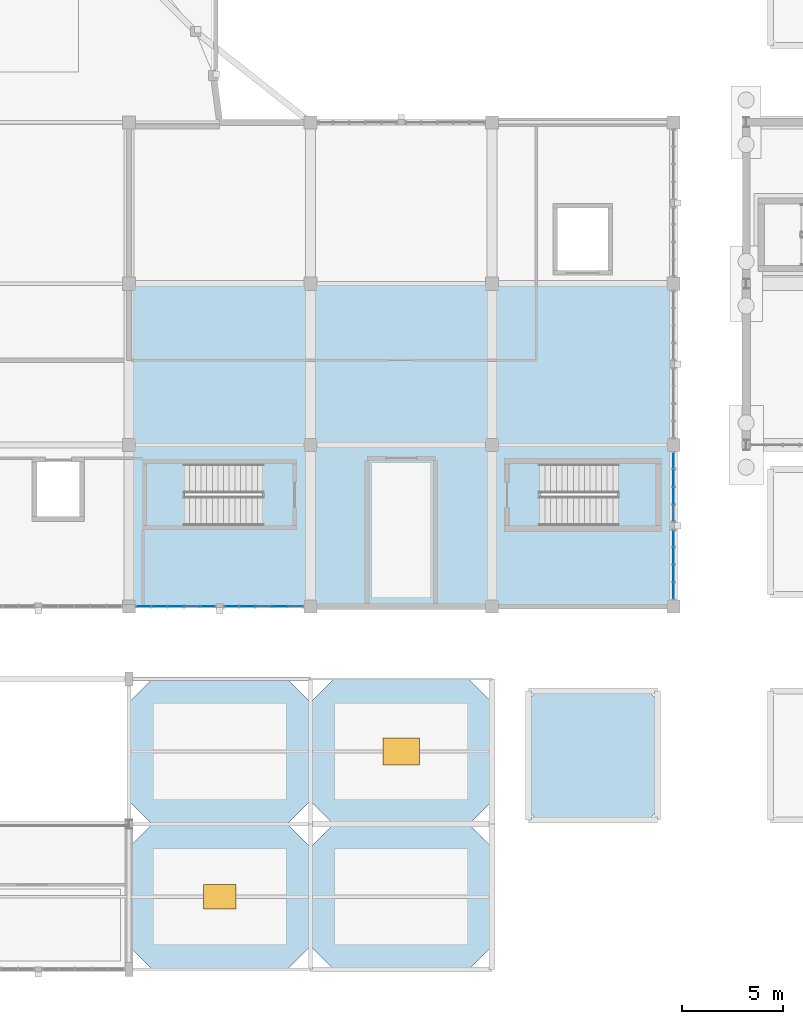
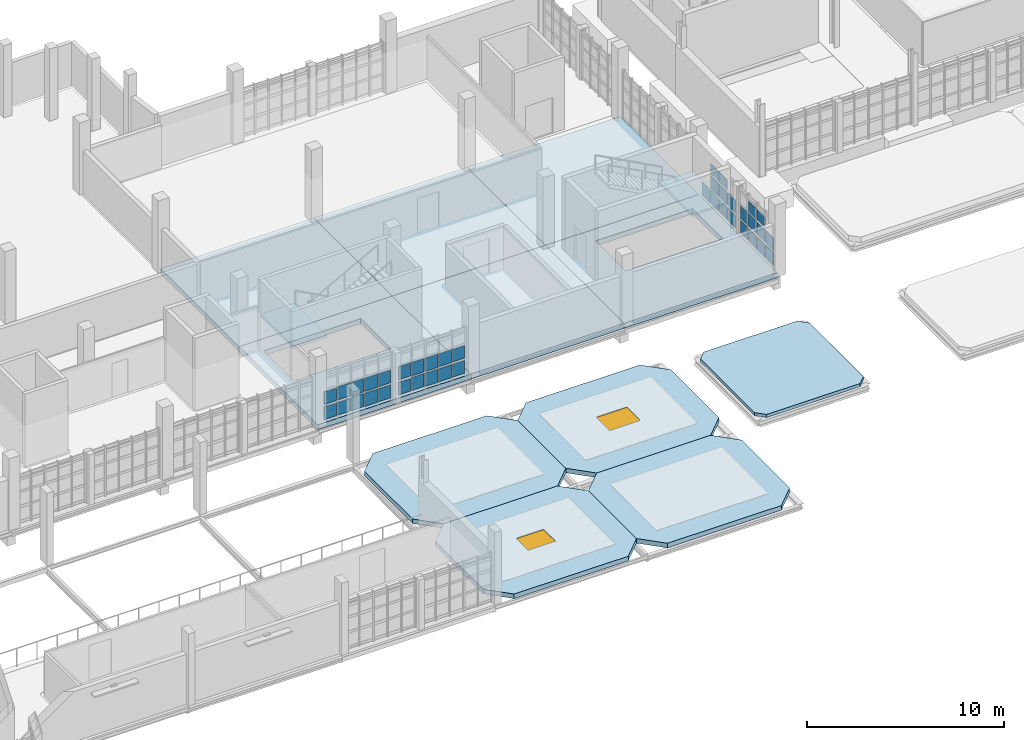
# One storey, part 83 of 125: 39 plates, 13 slabs, 2 windows, 2 openings, 6 elements without a shape of their own.
"""IFC4 building model written with IfcOpenShell, lengths in metres."""

from ifc_helpers import new_model, si_unit, direction, frame, origin, origin_2d, place, context, subcontext, project, spatial, polyline, rectangle, outline, extrude, material, layer, layer_set, type_object, element, fill, aggregate, save


model = new_model("IFC4")

# Units and contexts
model_context = context("Model", 3, precision=1e-05, world=origin(), true_north=direction((0.0, 1.0)))
body_context = subcontext(model_context, "Body", "Model", "MODEL_VIEW")
ifc_project = project(units=[si_unit("LENGTHUNIT", "METRE"), si_unit("AREAUNIT", "SQUARE_METRE"), si_unit("VOLUMEUNIT", "CUBIC_METRE"), si_unit("PLANEANGLEUNIT", "RADIAN"), si_unit("MASSUNIT", "GRAM", prefix="KILO")], contexts=[model_context])

# Site, building, storey
site_placement = place(None, origin())
site = spatial("IfcSite", under=ifc_project, at=site_placement, CompositionType="ELEMENT")
building_placement = place(site_placement, origin())
building = spatial("IfcBuilding", under=site, at=building_placement, Name="Serraforn Aerial Cableway Station", CompositionType="ELEMENT")
storey_placement = place(building_placement, frame((0.0, 0.0, 4.5)))
storey = spatial("IfcBuildingStorey", under=building, at=storey_placement, Name="L01", CompositionType="ELEMENT", Elevation=4.5)

# Curtain wall, plates
ifc_material_1 = material(Name="Anodised bronze unitised curtain wall")
curtain_wall_type_1 = type_object("IfcCurtainWallType", Name="CW-SYS-1", PredefinedType="USERDEFINED", material=ifc_material_1)
curtain_wall_1_placement = place(storey_placement, origin())
curtain_wall_1 = element("IfcCurtainWall", 1, at=curtain_wall_1_placement, inside=storey, type_object=curtain_wall_type_1, Name="Unitised Curtain Wall CW-CV-L01-E1A", ObjectType="UNITISED CURTAIN WALL", PredefinedType="USERDEFINED")
ifc_material_2 = material(Name="Solar-control low-E double glazing", Category="glass")
ifc_layer_1 = layer(ifc_material_2, 0.02587890625)
ifc_layer_set_1 = layer_set([ifc_layer_1], Name="Solar-control low-E double glazing")
plate_type_1 = type_object("IfcPlateType", Name="CW-GLZ-1", PredefinedType="CURTAIN_PANEL", material=ifc_layer_set_1)
plate_1_placement = place(storey_placement, frame((90.60009765625, 19.633056640625, 2.077392578125), z_axis=(0.0, 0.0, 1.0), x_axis=(1.0, 0.0, 0.0)))
plate_1 = element("IfcPlate", 2, at=plate_1_placement, type_object=plate_type_1, Name="Curtain Wall Panel CW-CV-L01-E1A-P2-3", PredefinedType="CURTAIN_PANEL", context=body_context, shape_type="SweptSolid", body=[
    extrude(rectangle(XDim=0.02587890625, YDim=0.815673828125, at=origin_2d()), origin(), (0.0, 0.0, 1.0), 0.615234375),
])
plate_2_placement = place(storey_placement, frame((90.60009765625, 20.50732421875, 1.14111328125), z_axis=(0.0, 0.0, 1.0), x_axis=(1.0, 0.0, 0.0)))
plate_2 = element("IfcPlate", 3, at=plate_2_placement, type_object=plate_type_1, Name="Curtain Wall Panel CW-CV-L01-E1A-P3-2", PredefinedType="CURTAIN_PANEL", context=body_context, shape_type="SweptSolid", body=[
    extrude(rectangle(XDim=0.02587890625, YDim=0.810791015625, at=origin_2d()), origin(), (0.0, 0.0, 1.0), 0.802490234375),
])
plate_3_placement = place(storey_placement, frame((90.60009765625, 21.36279296875, 0.20556640625), z_axis=(0.0, 0.0, 1.0), x_axis=(1.0, 0.0, 0.0)))
plate_3 = element("IfcPlate", 4, at=plate_3_placement, type_object=plate_type_1, Name="Curtain Wall Panel CW-CV-L01-E1A-P4-1", PredefinedType="CURTAIN_PANEL", context=body_context, shape_type="SweptSolid", body=[
    extrude(rectangle(XDim=0.02587890625, YDim=0.768310546875, at=origin_2d()), origin(), (0.0, 0.0, 1.0), 0.802490234375),
])

curtain_wall_type_2 = type_object("IfcCurtainWallType", Name="CW-SYS-2", PredefinedType="USERDEFINED", material=ifc_material_1)
curtain_wall_2_placement = place(storey_placement, origin())
curtain_wall_2 = element("IfcCurtainWall", 5, at=curtain_wall_2_placement, inside=storey, type_object=curtain_wall_type_2, Name="Unitised Curtain Wall CW-CV-L01-E1B", ObjectType="UNITISED CURTAIN WALL", PredefinedType="USERDEFINED")
plate_4_placement = place(storey_placement, frame((90.60009765625, 23.489990234375, 1.14111328125), z_axis=(0.0, 0.0, 1.0), x_axis=(1.0, 0.0, 0.0)))
plate_4 = element("IfcPlate", 6, at=plate_4_placement, type_object=plate_type_1, Name="Curtain Wall Panel CW-CV-L01-E1B-P2-2", PredefinedType="CURTAIN_PANEL", context=body_context, shape_type="SweptSolid", body=[
    extrude(rectangle(XDim=0.02587890625, YDim=0.810791015625, at=origin_2d()), origin(), (0.0, 0.0, 1.0), 0.802490234375),
])
plate_5_placement = place(storey_placement, frame((90.60009765625, 24.364501953125, 0.20556640625), z_axis=(0.0, 0.0, 1.0), x_axis=(1.0, 0.0, 0.0)))
plate_5 = element("IfcPlate", 7, at=plate_5_placement, type_object=plate_type_1, Name="Curtain Wall Panel CW-CV-L01-E1B-P3-1", PredefinedType="CURTAIN_PANEL", context=body_context, shape_type="SweptSolid", body=[
    extrude(rectangle(XDim=0.02587890625, YDim=0.8056640625, at=origin_2d()), origin(), (0.0, 0.0, 1.0), 0.802490234375),
])

# Curtain wall, plate
curtain_wall_type_3 = type_object("IfcCurtainWallType", Name="CW-SYS-25", PredefinedType="USERDEFINED", material=ifc_material_1)
curtain_wall_3_placement = place(storey_placement, origin())
curtain_wall_3 = element("IfcCurtainWall", 8, at=curtain_wall_3_placement, inside=storey, type_object=curtain_wall_type_3, Name="Unitised Curtain Wall CW-CV-L01-S5A", ObjectType="UNITISED CURTAIN WALL", PredefinedType="USERDEFINED")
ifc_layer_2 = layer(ifc_material_2, 0.028076171875)
ifc_layer_set_2 = layer_set([ifc_layer_2], Name="Solar-control low-E double glazing")
plate_type_2 = type_object("IfcPlateType", Name="CW-GLZ-2", PredefinedType="CURTAIN_PANEL", material=ifc_layer_set_2)
plate_6_placement = place(storey_placement, frame((64.33642578125, 18.0, 0.1904296875), z_axis=(0.0, 0.0, 1.0), x_axis=(1.0, 0.0, 0.0)))
plate_6 = element("IfcPlate", 9, at=plate_6_placement, type_object=plate_type_2, Name="Curtain Wall Panel CW-CV-L01-S5A-P1-1", PredefinedType="CURTAIN_PANEL", context=body_context, shape_type="SweptSolid", body=[
    extrude(rectangle(XDim=0.7109375, YDim=0.028076171875, at=origin_2d()), origin(), (0.0, 0.0, 1.0), 0.797607421875),
])

# Plate
plate_7_placement = place(storey_placement, frame((90.60009765625, 20.50732421875, 2.0498046875), z_axis=(0.0, 0.0, 1.0), x_axis=(1.0, 0.0, 0.0)))
plate_7 = element("IfcPlate", 10, at=plate_7_placement, type_object=plate_type_2, Name="Curtain Wall Panel CW-CV-L01-E1A-P3-3", PredefinedType="CURTAIN_PANEL", context=body_context, shape_type="SweptSolid", body=[
    extrude(rectangle(XDim=0.028076171875, YDim=0.810791015625, at=origin_2d()), origin(), (0.0, 0.0, 1.0), 0.6376953125),
])

plate_8_placement = place(storey_placement, frame((90.60009765625, 21.36279296875, 1.11376953125), z_axis=(0.0, 0.0, 1.0), x_axis=(1.0, 0.0, 0.0)))
plate_8 = element("IfcPlate", 11, at=plate_8_placement, type_object=plate_type_2, Name="Curtain Wall Panel CW-CV-L01-E1A-P4-2", PredefinedType="CURTAIN_PANEL", context=body_context, shape_type="SweptSolid", body=[
    extrude(rectangle(XDim=0.028076171875, YDim=0.768310546875, at=origin_2d()), origin(), (0.0, 0.0, 1.0), 0.824951171875),
])

plate_9_placement = place(storey_placement, frame((90.60009765625, 23.489990234375, 2.0498046875), z_axis=(0.0, 0.0, 1.0), x_axis=(1.0, 0.0, 0.0)))
plate_9 = element("IfcPlate", 12, at=plate_9_placement, type_object=plate_type_2, Name="Curtain Wall Panel CW-CV-L01-E1B-P2-3", PredefinedType="CURTAIN_PANEL", context=body_context, shape_type="SweptSolid", body=[
    extrude(rectangle(XDim=0.028076171875, YDim=0.810791015625, at=origin_2d()), origin(), (0.0, 0.0, 1.0), 0.6376953125),
])

plate_10_placement = place(storey_placement, frame((90.60009765625, 24.364501953125, 1.11376953125), z_axis=(0.0, 0.0, 1.0), x_axis=(1.0, 0.0, 0.0)))
plate_10 = element("IfcPlate", 13, at=plate_10_placement, type_object=plate_type_2, Name="Curtain Wall Panel CW-CV-L01-E1B-P3-2", PredefinedType="CURTAIN_PANEL", context=body_context, shape_type="SweptSolid", body=[
    extrude(rectangle(XDim=0.028076171875, YDim=0.8056640625, at=origin_2d()), origin(), (0.0, 0.0, 1.0), 0.824951171875),
])

plate_11_placement = place(storey_placement, frame((90.60009765625, 25.231201171875, 0.177734375), z_axis=(0.0, 0.0, 1.0), x_axis=(1.0, 0.0, 0.0)))
plate_11 = element("IfcPlate", 14, at=plate_11_placement, type_object=plate_type_2, Name="Curtain Wall Panel CW-CV-L01-E1B-P4-1", PredefinedType="CURTAIN_PANEL", context=body_context, shape_type="SweptSolid", body=[
    extrude(rectangle(XDim=0.028076171875, YDim=0.78564453125, at=origin_2d()), origin(), (0.0, 0.0, 1.0), 0.824951171875),
])

ifc_layer_3 = layer(ifc_material_2, 0.030029296875)
ifc_layer_set_3 = layer_set([ifc_layer_3], Name="Solar-control low-E double glazing")
plate_type_3 = type_object("IfcPlateType", Name="CW-GLZ-3", PredefinedType="CURTAIN_PANEL", material=ifc_layer_set_3)
plate_12_placement = place(storey_placement, frame((64.33642578125, 18.0, 1.1337890625), z_axis=(0.0, 0.0, 1.0), x_axis=(1.0, 0.0, 0.0)))
plate_12 = element("IfcPlate", 15, at=plate_12_placement, type_object=plate_type_3, Name="Curtain Wall Panel CW-CV-L01-S5A-P1-2", PredefinedType="CURTAIN_PANEL", context=body_context, shape_type="SweptSolid", body=[
    extrude(rectangle(XDim=0.7109375, YDim=0.030029296875, at=origin_2d()), origin(), (0.0, 0.0, 1.0), 0.782470703125),
])

plate_13_placement = place(storey_placement, frame((65.120849609375, 18.0, 0.19775390625), z_axis=(0.0, 0.0, 1.0), x_axis=(1.0, 0.0, 0.0)))
plate_13 = element("IfcPlate", 16, at=plate_13_placement, type_object=plate_type_3, Name="Curtain Wall Panel CW-CV-L01-S5A-P2-1", PredefinedType="CURTAIN_PANEL", context=body_context, shape_type="SweptSolid", body=[
    extrude(rectangle(XDim=0.73583984375, YDim=0.030029296875, at=origin_2d()), origin(), (0.0, 0.0, 1.0), 0.782470703125),
])

# Curtain wall, plate
curtain_wall_type_4 = type_object("IfcCurtainWallType", Name="CW-SYS-26", PredefinedType="USERDEFINED", material=ifc_material_1)
curtain_wall_4_placement = place(storey_placement, origin())
curtain_wall_4 = element("IfcCurtainWall", 17, at=curtain_wall_4_placement, inside=storey, type_object=curtain_wall_type_4, Name="Unitised Curtain Wall CW-CV-L01-S5B", ObjectType="UNITISED CURTAIN WALL", PredefinedType="USERDEFINED")
plate_14_placement = place(storey_placement, frame((68.694580078125, 18.0, 0.19775390625), z_axis=(0.0, 0.0, 1.0), x_axis=(1.0, 0.0, 0.0)))
plate_14 = element("IfcPlate", 18, at=plate_14_placement, type_object=plate_type_3, Name="Curtain Wall Panel CW-CV-L01-S5B-P1-1", PredefinedType="CURTAIN_PANEL", context=body_context, shape_type="SweptSolid", body=[
    extrude(rectangle(XDim=0.703369140625, YDim=0.030029296875, at=origin_2d()), origin(), (0.0, 0.0, 1.0), 0.782470703125),
])

# Plate
plate_15_placement = place(storey_placement, frame((90.60009765625, 24.364501953125, 2.0546875), z_axis=(0.0, 0.0, 1.0), x_axis=(1.0, 0.0, 0.0)))
plate_15 = element("IfcPlate", 19, at=plate_15_placement, type_object=plate_type_3, Name="Curtain Wall Panel CW-CV-L01-E1B-P3-3", PredefinedType="CURTAIN_PANEL", context=body_context, shape_type="SweptSolid", body=[
    extrude(rectangle(XDim=0.030029296875, YDim=0.8056640625, at=origin_2d()), origin(), (0.0, 0.0, 1.0), 0.625244140625),
])

ifc_layer_4 = layer(ifc_material_2, 0.031982421875)
ifc_layer_set_4 = layer_set([ifc_layer_4], Name="Solar-control low-E double glazing")
plate_type_4 = type_object("IfcPlateType", Name="CW-GLZ-4", PredefinedType="CURTAIN_PANEL", material=ifc_layer_set_4)
plate_16_placement = place(storey_placement, frame((65.120849609375, 18.0, 1.14111328125), z_axis=(0.0, 0.0, 1.0), x_axis=(1.0, 0.0, 0.0)))
plate_16 = element("IfcPlate", 20, at=plate_16_placement, type_object=plate_type_4, Name="Curtain Wall Panel CW-CV-L01-S5A-P2-2", PredefinedType="CURTAIN_PANEL", context=body_context, shape_type="SweptSolid", body=[
    extrude(rectangle(XDim=0.73583984375, YDim=0.031982421875, at=origin_2d()), origin(), (0.0, 0.0, 1.0), 0.802490234375),
])

plate_17_placement = place(storey_placement, frame((65.920166015625, 18.0, 0.20556640625), z_axis=(0.0, 0.0, 1.0), x_axis=(1.0, 0.0, 0.0)))
plate_17 = element("IfcPlate", 21, at=plate_17_placement, type_object=plate_type_4, Name="Curtain Wall Panel CW-CV-L01-S5A-P3-1", PredefinedType="CURTAIN_PANEL", context=body_context, shape_type="SweptSolid", body=[
    extrude(rectangle(XDim=0.73095703125, YDim=0.031982421875, at=origin_2d()), origin(), (0.0, 0.0, 1.0), 0.802490234375),
])

plate_18_placement = place(storey_placement, frame((68.694580078125, 18.0, 1.14111328125), z_axis=(0.0, 0.0, 1.0), x_axis=(1.0, 0.0, 0.0)))
plate_18 = element("IfcPlate", 22, at=plate_18_placement, type_object=plate_type_4, Name="Curtain Wall Panel CW-CV-L01-S5B-P1-2", PredefinedType="CURTAIN_PANEL", context=body_context, shape_type="SweptSolid", body=[
    extrude(rectangle(XDim=0.703369140625, YDim=0.031982421875, at=origin_2d()), origin(), (0.0, 0.0, 1.0), 0.802490234375),
])

plate_19_placement = place(storey_placement, frame((69.477783203125, 18.0, 0.20556640625), z_axis=(0.0, 0.0, 1.0), x_axis=(1.0, 0.0, 0.0)))
plate_19 = element("IfcPlate", 23, at=plate_19_placement, type_object=plate_type_4, Name="Curtain Wall Panel CW-CV-L01-S5B-P2-1", PredefinedType="CURTAIN_PANEL", context=body_context, shape_type="SweptSolid", body=[
    extrude(rectangle(XDim=0.73095703125, YDim=0.031982421875, at=origin_2d()), origin(), (0.0, 0.0, 1.0), 0.802490234375),
])

ifc_layer_5 = layer(ifc_material_2, 0.033935546875)
ifc_layer_set_5 = layer_set([ifc_layer_5], Name="Solar-control low-E double glazing")
plate_type_5 = type_object("IfcPlateType", Name="CW-GLZ-5", PredefinedType="CURTAIN_PANEL", material=ifc_layer_set_5)
plate_20_placement = place(storey_placement, frame((65.920166015625, 18.0, 1.11376953125), z_axis=(0.0, 0.0, 1.0), x_axis=(1.0, 0.0, 0.0)))
plate_20 = element("IfcPlate", 24, at=plate_20_placement, type_object=plate_type_5, Name="Curtain Wall Panel CW-CV-L01-S5A-P3-2", PredefinedType="CURTAIN_PANEL", context=body_context, shape_type="SweptSolid", body=[
    extrude(rectangle(XDim=0.73095703125, YDim=0.033935546875, at=origin_2d()), origin(), (0.0, 0.0, 1.0), 0.824951171875),
])

plate_21_placement = place(storey_placement, frame((66.725830078125, 18.0, 0.177734375), z_axis=(0.0, 0.0, 1.0), x_axis=(1.0, 0.0, 0.0)))
plate_21 = element("IfcPlate", 25, at=plate_21_placement, type_object=plate_type_5, Name="Curtain Wall Panel CW-CV-L01-S5A-P4-1", PredefinedType="CURTAIN_PANEL", context=body_context, shape_type="SweptSolid", body=[
    extrude(rectangle(XDim=0.73828125, YDim=0.033935546875, at=origin_2d()), origin(), (0.0, 0.0, 1.0), 0.824951171875),
])

plate_22_placement = place(storey_placement, frame((69.477783203125, 18.0, 1.11376953125), z_axis=(0.0, 0.0, 1.0), x_axis=(1.0, 0.0, 0.0)))
plate_22 = element("IfcPlate", 26, at=plate_22_placement, type_object=plate_type_5, Name="Curtain Wall Panel CW-CV-L01-S5B-P2-2", PredefinedType="CURTAIN_PANEL", context=body_context, shape_type="SweptSolid", body=[
    extrude(rectangle(XDim=0.73095703125, YDim=0.033935546875, at=origin_2d()), origin(), (0.0, 0.0, 1.0), 0.824951171875),
])

plate_23_placement = place(storey_placement, frame((70.283447265625, 18.0, 0.177734375), z_axis=(0.0, 0.0, 1.0), x_axis=(1.0, 0.0, 0.0)))
plate_23 = element("IfcPlate", 27, at=plate_23_placement, type_object=plate_type_5, Name="Curtain Wall Panel CW-CV-L01-S5B-P3-1", PredefinedType="CURTAIN_PANEL", context=body_context, shape_type="SweptSolid", body=[
    extrude(rectangle(XDim=0.73828125, YDim=0.033935546875, at=origin_2d()), origin(), (0.0, 0.0, 1.0), 0.824951171875),
])

ifc_layer_6 = layer(ifc_material_2, 0.035888671875)
ifc_layer_set_6 = layer_set([ifc_layer_6], Name="Solar-control low-E double glazing")
plate_type_6 = type_object("IfcPlateType", Name="CW-GLZ-6", PredefinedType="CURTAIN_PANEL", material=ifc_layer_set_6)
plate_24_placement = place(storey_placement, frame((66.725830078125, 18.0, 1.118896484375), z_axis=(0.0, 0.0, 1.0), x_axis=(1.0, 0.0, 0.0)))
plate_24 = element("IfcPlate", 28, at=plate_24_placement, type_object=plate_type_6, Name="Curtain Wall Panel CW-CV-L01-S5A-P4-2", PredefinedType="CURTAIN_PANEL", context=body_context, shape_type="SweptSolid", body=[
    extrude(rectangle(XDim=0.73828125, YDim=0.035888671875, at=origin_2d()), origin(), (0.0, 0.0, 1.0), 0.8125),
])

plate_25_placement = place(storey_placement, frame((67.504150390625, 18.0, 0.182861328125), z_axis=(0.0, 0.0, 1.0), x_axis=(1.0, 0.0, 0.0)))
plate_25 = element("IfcPlate", 29, at=plate_25_placement, type_object=plate_type_6, Name="Curtain Wall Panel CW-CV-L01-S5A-P5-1", PredefinedType="CURTAIN_PANEL", context=body_context, shape_type="SweptSolid", body=[
    extrude(rectangle(XDim=0.7158203125, YDim=0.035888671875, at=origin_2d()), origin(), (0.0, 0.0, 1.0), 0.8125),
])

plate_26_placement = place(storey_placement, frame((70.283447265625, 18.0, 1.118896484375), z_axis=(0.0, 0.0, 1.0), x_axis=(1.0, 0.0, 0.0)))
plate_26 = element("IfcPlate", 30, at=plate_26_placement, type_object=plate_type_6, Name="Curtain Wall Panel CW-CV-L01-S5B-P3-2", PredefinedType="CURTAIN_PANEL", context=body_context, shape_type="SweptSolid", body=[
    extrude(rectangle(XDim=0.73828125, YDim=0.035888671875, at=origin_2d()), origin(), (0.0, 0.0, 1.0), 0.8125),
])

plate_27_placement = place(storey_placement, frame((71.07666015625, 18.0, 0.182861328125), z_axis=(0.0, 0.0, 1.0), x_axis=(1.0, 0.0, 0.0)))
plate_27 = element("IfcPlate", 31, at=plate_27_placement, type_object=plate_type_6, Name="Curtain Wall Panel CW-CV-L01-S5B-P4-1", PredefinedType="CURTAIN_PANEL", context=body_context, shape_type="SweptSolid", body=[
    extrude(rectangle(XDim=0.745849609375, YDim=0.035888671875, at=origin_2d()), origin(), (0.0, 0.0, 1.0), 0.8125),
])

plate_28_placement = place(storey_placement, frame((90.60009765625, 18.772705078125, 0.182861328125), z_axis=(0.0, 0.0, 1.0), x_axis=(1.0, 0.0, 0.0)))
plate_28 = element("IfcPlate", 32, at=plate_28_placement, type_object=plate_type_6, Name="Curtain Wall Panel CW-CV-L01-E1A-P1-1", PredefinedType="CURTAIN_PANEL", context=body_context, shape_type="SweptSolid", body=[
    extrude(rectangle(XDim=0.035888671875, YDim=0.793212890625, at=origin_2d()), origin(), (0.0, 0.0, 1.0), 0.8125),
])

ifc_layer_7 = layer(ifc_material_2, 0.029052734375)
ifc_layer_set_7 = layer_set([ifc_layer_7], Name="Solar-control low-E double glazing")
plate_type_7 = type_object("IfcPlateType", Name="CW-GLZ-7", PredefinedType="CURTAIN_PANEL", material=ifc_layer_set_7)
plate_29_placement = place(storey_placement, frame((67.504150390625, 18.0, 1.12646484375), z_axis=(0.0, 0.0, 1.0), x_axis=(1.0, 0.0, 0.0)))
plate_29 = element("IfcPlate", 33, at=plate_29_placement, type_object=plate_type_7, Name="Curtain Wall Panel CW-CV-L01-S5A-P5-2", PredefinedType="CURTAIN_PANEL", context=body_context, shape_type="SweptSolid", body=[
    extrude(rectangle(XDim=0.7158203125, YDim=0.029052734375, at=origin_2d()), origin(), (0.0, 0.0, 1.0), 0.797607421875),
])

aggregate(curtain_wall_3, [plate_6, plate_12, plate_13, plate_16, plate_17, plate_20, plate_21, plate_24, plate_25, plate_29])

plate_30_placement = place(storey_placement, frame((71.07666015625, 18.0, 1.12646484375), z_axis=(0.0, 0.0, 1.0), x_axis=(1.0, 0.0, 0.0)))
plate_30 = element("IfcPlate", 34, at=plate_30_placement, type_object=plate_type_7, Name="Curtain Wall Panel CW-CV-L01-S5B-P4-2", PredefinedType="CURTAIN_PANEL", context=body_context, shape_type="SweptSolid", body=[
    extrude(rectangle(XDim=0.745849609375, YDim=0.029052734375, at=origin_2d()), origin(), (0.0, 0.0, 1.0), 0.797607421875),
])

plate_31_placement = place(storey_placement, frame((71.85986328125, 18.0, 0.1904296875), z_axis=(0.0, 0.0, 1.0), x_axis=(1.0, 0.0, 0.0)))
plate_31 = element("IfcPlate", 35, at=plate_31_placement, type_object=plate_type_7, Name="Curtain Wall Panel CW-CV-L01-S5B-P5-1", PredefinedType="CURTAIN_PANEL", context=body_context, shape_type="SweptSolid", body=[
    extrude(rectangle(XDim=0.70849609375, YDim=0.029052734375, at=origin_2d()), origin(), (0.0, 0.0, 1.0), 0.797607421875),
])

plate_32_placement = place(storey_placement, frame((90.60009765625, 18.772705078125, 1.12646484375), z_axis=(0.0, 0.0, 1.0), x_axis=(1.0, 0.0, 0.0)))
plate_32 = element("IfcPlate", 36, at=plate_32_placement, type_object=plate_type_7, Name="Curtain Wall Panel CW-CV-L01-E1A-P1-2", PredefinedType="CURTAIN_PANEL", context=body_context, shape_type="SweptSolid", body=[
    extrude(rectangle(XDim=0.029052734375, YDim=0.793212890625, at=origin_2d()), origin(), (0.0, 0.0, 1.0), 0.797607421875),
])

plate_33_placement = place(storey_placement, frame((90.60009765625, 19.633056640625, 0.1904296875), z_axis=(0.0, 0.0, 1.0), x_axis=(1.0, 0.0, 0.0)))
plate_33 = element("IfcPlate", 37, at=plate_33_placement, type_object=plate_type_7, Name="Curtain Wall Panel CW-CV-L01-E1A-P2-1", PredefinedType="CURTAIN_PANEL", context=body_context, shape_type="SweptSolid", body=[
    extrude(rectangle(XDim=0.029052734375, YDim=0.815673828125, at=origin_2d()), origin(), (0.0, 0.0, 1.0), 0.797607421875),
])

plate_34_placement = place(storey_placement, frame((90.60009765625, 22.630859375, 0.1904296875), z_axis=(0.0, 0.0, 1.0), x_axis=(1.0, 0.0, 0.0)))
plate_34 = element("IfcPlate", 38, at=plate_34_placement, type_object=plate_type_7, Name="Curtain Wall Panel CW-CV-L01-E1B-P1-1", PredefinedType="CURTAIN_PANEL", context=body_context, shape_type="SweptSolid", body=[
    extrude(rectangle(XDim=0.029052734375, YDim=0.78564453125, at=origin_2d()), origin(), (0.0, 0.0, 1.0), 0.797607421875),
])

ifc_layer_8 = layer(ifc_material_2, 0.031005859375)
ifc_layer_set_8 = layer_set([ifc_layer_8], Name="Solar-control low-E double glazing")
plate_type_8 = type_object("IfcPlateType", Name="CW-GLZ-8", PredefinedType="CURTAIN_PANEL", material=ifc_layer_set_8)
plate_35_placement = place(storey_placement, frame((71.85986328125, 18.0, 1.1337890625), z_axis=(0.0, 0.0, 1.0), x_axis=(1.0, 0.0, 0.0)))
plate_35 = element("IfcPlate", 39, at=plate_35_placement, type_object=plate_type_8, Name="Curtain Wall Panel CW-CV-L01-S5B-P5-2", PredefinedType="CURTAIN_PANEL", context=body_context, shape_type="SweptSolid", body=[
    extrude(rectangle(XDim=0.70849609375, YDim=0.031005859375, at=origin_2d()), origin(), (0.0, 0.0, 1.0), 0.782470703125),
])

aggregate(curtain_wall_4, [plate_14, plate_18, plate_19, plate_22, plate_23, plate_26, plate_27, plate_30, plate_31, plate_35])

plate_36_placement = place(storey_placement, frame((90.60009765625, 19.633056640625, 1.1337890625), z_axis=(0.0, 0.0, 1.0), x_axis=(1.0, 0.0, 0.0)))
plate_36 = element("IfcPlate", 40, at=plate_36_placement, type_object=plate_type_8, Name="Curtain Wall Panel CW-CV-L01-E1A-P2-2", PredefinedType="CURTAIN_PANEL", context=body_context, shape_type="SweptSolid", body=[
    extrude(rectangle(XDim=0.031005859375, YDim=0.815673828125, at=origin_2d()), origin(), (0.0, 0.0, 1.0), 0.782470703125),
])

plate_37_placement = place(storey_placement, frame((90.60009765625, 20.50732421875, 0.19775390625), z_axis=(0.0, 0.0, 1.0), x_axis=(1.0, 0.0, 0.0)))
plate_37 = element("IfcPlate", 41, at=plate_37_placement, type_object=plate_type_8, Name="Curtain Wall Panel CW-CV-L01-E1A-P3-1", PredefinedType="CURTAIN_PANEL", context=body_context, shape_type="SweptSolid", body=[
    extrude(rectangle(XDim=0.031005859375, YDim=0.810791015625, at=origin_2d()), origin(), (0.0, 0.0, 1.0), 0.782470703125),
])

aggregate(curtain_wall_1, [plate_28, plate_32, plate_33, plate_36, plate_1, plate_37, plate_2, plate_7, plate_3, plate_8])

plate_38_placement = place(storey_placement, frame((90.60009765625, 22.630859375, 1.1337890625), z_axis=(0.0, 0.0, 1.0), x_axis=(1.0, 0.0, 0.0)))
plate_38 = element("IfcPlate", 42, at=plate_38_placement, type_object=plate_type_8, Name="Curtain Wall Panel CW-CV-L01-E1B-P1-2", PredefinedType="CURTAIN_PANEL", context=body_context, shape_type="SweptSolid", body=[
    extrude(rectangle(XDim=0.031005859375, YDim=0.78564453125, at=origin_2d()), origin(), (0.0, 0.0, 1.0), 0.782470703125),
])

plate_39_placement = place(storey_placement, frame((90.60009765625, 23.489990234375, 0.19775390625), z_axis=(0.0, 0.0, 1.0), x_axis=(1.0, 0.0, 0.0)))
plate_39 = element("IfcPlate", 43, at=plate_39_placement, type_object=plate_type_8, Name="Curtain Wall Panel CW-CV-L01-E1B-P2-1", PredefinedType="CURTAIN_PANEL", context=body_context, shape_type="SweptSolid", body=[
    extrude(rectangle(XDim=0.031005859375, YDim=0.810791015625, at=origin_2d()), origin(), (0.0, 0.0, 1.0), 0.782470703125),
])

aggregate(curtain_wall_2, [plate_34, plate_38, plate_39, plate_4, plate_9, plate_5, plate_10, plate_15, plate_11])

# Slabs
ifc_material_3 = material(Name="Concrete C35/45", Category="concrete")
ifc_layer_9 = layer(ifc_material_3, 0.195068359375)
ifc_layer_set_9 = layer_set([ifc_layer_9], Name="Concrete C35/45")
slab_type_1 = type_object("IfcSlabType", Name="SLB-ARC-195", PredefinedType="ROOF", material=ifc_layer_set_9)
slab_1_placement = place(storey_placement, frame((0.0, 0.0, -0.215087890625)))
element("IfcSlab", 44, at=slab_1_placement, inside=storey, type_object=slab_type_1, Name="Colonnade Canopy Roof SW-1-1", PredefinedType="ROOF", context=body_context, shape_type="SweptSolid", body=[
    extrude(outline(polyline([(83.85009765625, 7.39990234375), (89.35009765625, 7.39990234375), (89.800048828125, 7.85009765625), (89.800048828125, 13.35009765625), (89.35009765625, 13.800048828125), (83.85009765625, 13.800048828125), (83.39990234375, 13.35009765625), (83.39990234375, 7.85009765625), (83.85009765625, 7.39990234375)])), origin(), (0.0, 0.0, 1.0), 0.195068359375),
])
ifc_layer_10 = layer(ifc_material_3, 0.31494140625)
ifc_layer_set_10 = layer_set([ifc_layer_10], Name="Concrete C35/45")
slab_type_2 = type_object("IfcSlabType", Name="SLB-FLR-315", PredefinedType="FLOOR", material=ifc_layer_set_10)
slab_2_placement = place(storey_placement, frame((0.0, 0.0, -0.31494140625)))
element("IfcSlab", 45, at=slab_2_placement, inside=storey, type_object=slab_type_2, Name="Floor Slab CV-L01-5-1", PredefinedType="FLOOR", context=body_context, shape_type="SweptSolid", body=[
    extrude(outline(polyline([(63.60009765625, 18.0), (72.60009765625, 18.0), (72.60009765625, 26.0), (63.60009765625, 26.0), (63.60009765625, 18.0)]), holes=[polyline([(70.199951171875, 25.06005859375), (64.5, 25.06005859375), (64.5, 22.0), (70.199951171875, 22.0), (70.199951171875, 25.06005859375)])]), origin(), (0.0, 0.0, 1.0), 0.31494140625),
])
slab_3_placement = place(storey_placement, frame((0.0, 0.0, -0.31494140625)))
element("IfcSlab", 46, at=slab_3_placement, inside=storey, type_object=slab_type_2, Name="Floor Slab CV-L01-5-2", PredefinedType="FLOOR", context=body_context, shape_type="SweptSolid", body=[
    extrude(outline(polyline([(63.60009765625, 26.0), (72.60009765625, 26.0), (72.60009765625, 34.0), (63.60009765625, 34.0), (63.60009765625, 26.0)])), origin(), (0.0, 0.0, 1.0), 0.31494140625),
])
slab_4_placement = place(storey_placement, frame((0.0, 0.0, -0.31494140625)))
element("IfcSlab", 47, at=slab_4_placement, inside=storey, type_object=slab_type_2, Name="Floor Slab CV-L01-6-1", PredefinedType="FLOOR", context=body_context, shape_type="SweptSolid", body=[
    extrude(outline(polyline([(72.60009765625, 18.0), (81.60009765625, 18.0), (81.60009765625, 26.0), (72.60009765625, 26.0), (72.60009765625, 18.0)])), origin(), (0.0, 0.0, 1.0), 0.31494140625),
])
slab_5_placement = place(storey_placement, frame((0.0, 0.0, -0.31494140625)))
element("IfcSlab", 48, at=slab_5_placement, inside=storey, type_object=slab_type_2, Name="Floor Slab CV-L01-6-2", PredefinedType="FLOOR", context=body_context, shape_type="SweptSolid", body=[
    extrude(outline(polyline([(72.60009765625, 26.0), (81.60009765625, 26.0), (81.60009765625, 34.0), (72.60009765625, 34.0), (72.60009765625, 26.0)])), origin(), (0.0, 0.0, 1.0), 0.31494140625),
])
slab_6_placement = place(storey_placement, frame((0.0, 0.0, -0.31494140625)))
element("IfcSlab", 49, at=slab_6_placement, inside=storey, type_object=slab_type_2, Name="Floor Slab CV-L01-7-1", PredefinedType="FLOOR", context=body_context, shape_type="SweptSolid", body=[
    extrude(outline(polyline([(81.60009765625, 18.0), (90.60009765625, 18.0), (90.60009765625, 26.0), (81.60009765625, 26.0), (81.60009765625, 18.0)]), holes=[polyline([(84.0, 22.0), (89.699951171875, 22.0), (89.699951171875, 25.06005859375), (84.0, 25.06005859375), (84.0, 22.0)])]), origin(), (0.0, 0.0, 1.0), 0.31494140625),
])
slab_7_placement = place(storey_placement, frame((0.0, 0.0, -0.31494140625)))
element("IfcSlab", 50, at=slab_7_placement, inside=storey, type_object=slab_type_2, Name="Floor Slab CV-L01-7-2", PredefinedType="FLOOR", context=body_context, shape_type="SweptSolid", body=[
    extrude(outline(polyline([(81.60009765625, 26.0), (90.60009765625, 26.0), (90.60009765625, 34.0), (81.60009765625, 34.0), (81.60009765625, 26.0)])), origin(), (0.0, 0.0, 1.0), 0.31494140625),
])

# Stair, slab
stair_type_1 = type_object("IfcStairType", Name="STR-DL-3", PredefinedType="HALF_TURN_STAIR", material=ifc_material_3)
stair_1_placement = place(storey_placement, origin())
stair_1 = element("IfcStair", 51, at=stair_1_placement, inside=storey, type_object=stair_type_1, Name="L01 Vault Central East Exit Stair 5", PredefinedType="HALF_TURN_STAIR")
ifc_layer_11 = layer(ifc_material_3, 0.159912109375)
ifc_layer_set_11 = layer_set([ifc_layer_11], Name="Concrete C35/45")
slab_type_3 = type_object("IfcSlabType", Name="SLB-LND-160", PredefinedType="LANDING", material=ifc_layer_set_11)
slab_8_placement = place(storey_placement, frame((0.0, 0.0, 2.090087890625)))
slab_8 = element("IfcSlab", 52, at=slab_8_placement, type_object=slab_type_3, Name="ST-05 landing 1", PredefinedType="LANDING", context=body_context, shape_type="SweptSolid", body=[
    extrude(outline(polyline([(66.3798828125, 25.179931640625), (64.3798828125, 25.179931640625), (64.3798828125, 21.8798828125), (66.3798828125, 21.8798828125), (66.3798828125, 25.179931640625)])), origin(), (0.0, 0.0, 1.0), 0.159912109375),
])
aggregate(stair_1, [slab_8])

stair_type_2 = type_object("IfcStairType", Name="STR-DL-1", PredefinedType="HALF_TURN_STAIR", material=ifc_material_3)
stair_2_placement = place(storey_placement, origin())
stair_2 = element("IfcStair", 53, at=stair_2_placement, inside=storey, type_object=stair_type_2, Name="L01 Vault East Protected Exit Stair 13", PredefinedType="HALF_TURN_STAIR")
slab_9_placement = place(storey_placement, frame((0.0, 0.0, 2.090087890625)))
slab_9 = element("IfcSlab", 54, at=slab_9_placement, type_object=slab_type_3, Name="ST-13 landing 1", PredefinedType="LANDING", context=body_context, shape_type="SweptSolid", body=[
    extrude(outline(polyline([(87.820068359375, 21.8798828125), (89.820068359375, 21.8798828125), (89.820068359375, 25.179931640625), (87.820068359375, 25.179931640625), (87.820068359375, 21.8798828125)])), origin(), (0.0, 0.0, 1.0), 0.159912109375),
])
aggregate(stair_2, [slab_9])

# Slab, opening, window
ifc_layer_12 = layer(ifc_material_3, 0.284912109375)
ifc_layer_set_12 = layer_set([ifc_layer_12], Name="Concrete C35/45")
slab_type_4 = type_object("IfcSlabType", Name="SLB-ROOF-285", PredefinedType="ROOF", material=ifc_layer_set_12)
slab_10_placement = place(storey_placement, frame((0.0, 0.0, -0.284912109375)))
slab_10 = element("IfcSlab", 55, at=slab_10_placement, inside=storey, type_object=slab_type_4, Name="Roof Slab CF-L01-5-1", PredefinedType="ROOF", context=body_context, shape_type="SweptSolid", body=[
    extrude(outline(polyline([(64.75, 0.0), (71.449951171875, 0.0), (72.60009765625, 1.14990234375), (72.60009765625, 6.050048828125), (71.449951171875, 7.199951171875), (64.75, 7.199951171875), (63.60009765625, 6.050048828125), (63.60009765625, 1.14990234375), (64.75, 0.0)]), holes=[polyline([(67.302001953125, 3.001953125), (68.89794921875, 3.001953125), (68.89794921875, 4.197998046875), (67.302001953125, 4.197998046875), (67.302001953125, 3.001953125)])]), origin(), (0.0, 0.0, 1.0), 0.284912109375),
])
opening_1_placement = place(slab_10_placement, frame((68.10009765625, 3.60009765625, -0.010009765625)))
opening_1 = element("IfcOpeningElement", 56, at=opening_1_placement, cuts=slab_10, Name="Opening SK-01", PredefinedType="OPENING", context=body_context, shape_type="SweptSolid", body=[
    extrude(rectangle(XDim=1.60009765625, YDim=1.199951171875, at=origin_2d()), origin(), (0.0, 0.0, 1.0), 0.304931640625),
])
ifc_material_4 = material(Name="Double low-E laminated safety glass", Category="glass")
window_type_1 = type_object("IfcWindowType", Name="WIN-SKY-1", PartitioningType="SINGLE_PANEL", PredefinedType="SKYLIGHT", material=ifc_material_4)
window_1_placement = place(slab_10_placement, frame((68.10009765625, 3.60009765625, 0.23486328125)))
window_1 = element("IfcWindow", 57, at=window_1_placement, inside=storey, type_object=window_type_1, Name="Roof Skylight CF-L01-5-1", OverallHeight=1.199951171875, OverallWidth=1.60009765625, PartitioningType="SINGLE_PANEL", PredefinedType="SKYLIGHT", context=body_context, shape_type="SweptSolid", body=[
    extrude(rectangle(XDim=1.60009765625, YDim=1.199951171875, at=origin_2d()), origin(), (0.0, 0.0, 1.0), 0.050048828125),
])
fill(opening_1, window_1)

# Slabs
slab_11_placement = place(storey_placement, frame((0.0, 0.0, -0.284912109375)))
element("IfcSlab", 58, at=slab_11_placement, inside=storey, type_object=slab_type_4, Name="Roof Slab CF-L01-5-2", PredefinedType="ROOF", context=body_context, shape_type="SweptSolid", body=[
    extrude(outline(polyline([(64.75, 7.199951171875), (71.449951171875, 7.199951171875), (72.60009765625, 8.35009765625), (72.60009765625, 13.25), (71.449951171875, 14.39990234375), (64.75, 14.39990234375), (63.60009765625, 13.25), (63.60009765625, 8.35009765625), (64.75, 7.199951171875)])), origin(), (0.0, 0.0, 1.0), 0.284912109375),
])
slab_12_placement = place(storey_placement, frame((0.0, 0.0, -0.284912109375)))
element("IfcSlab", 59, at=slab_12_placement, inside=storey, type_object=slab_type_4, Name="Roof Slab CF-L01-6-1", PredefinedType="ROOF", context=body_context, shape_type="SweptSolid", body=[
    extrude(outline(polyline([(73.75, 0.0), (80.449951171875, 0.0), (81.60009765625, 1.14990234375), (81.60009765625, 6.050048828125), (80.449951171875, 7.199951171875), (73.75, 7.199951171875), (72.60009765625, 6.050048828125), (72.60009765625, 1.14990234375), (73.75, 0.0)])), origin(), (0.0, 0.0, 1.0), 0.284912109375),
])

# Slab, opening, window
slab_13_placement = place(storey_placement, frame((0.0, 0.0, -0.284912109375)))
slab_13 = element("IfcSlab", 60, at=slab_13_placement, inside=storey, type_object=slab_type_4, Name="Roof Slab CF-L01-6-2", PredefinedType="ROOF", context=body_context, shape_type="SweptSolid", body=[
    extrude(outline(polyline([(73.75, 7.199951171875), (80.449951171875, 7.199951171875), (81.60009765625, 8.35009765625), (81.60009765625, 13.25), (80.449951171875, 14.39990234375), (73.75, 14.39990234375), (72.60009765625, 13.25), (72.60009765625, 8.35009765625), (73.75, 7.199951171875)]), holes=[polyline([(76.201904296875, 10.126953125), (77.998046875, 10.126953125), (77.998046875, 11.472900390625), (76.201904296875, 11.472900390625), (76.201904296875, 10.126953125)])]), origin(), (0.0, 0.0, 1.0), 0.284912109375),
])
opening_2_placement = place(slab_13_placement, frame((77.10009765625, 10.800048828125, -0.010009765625)))
opening_2 = element("IfcOpeningElement", 61, at=opening_2_placement, cuts=slab_13, Name="Opening SK-02", PredefinedType="OPENING", context=body_context, shape_type="SweptSolid", body=[
    extrude(rectangle(XDim=1.800048828125, YDim=1.35009765625, at=origin_2d()), origin(), (0.0, 0.0, 1.0), 0.304931640625),
])
window_type_2 = type_object("IfcWindowType", Name="WIN-SKY-2", PartitioningType="SINGLE_PANEL", PredefinedType="SKYLIGHT", material=ifc_material_4)
window_2_placement = place(slab_13_placement, frame((77.10009765625, 10.800048828125, 0.23486328125)))
window_2 = element("IfcWindow", 62, at=window_2_placement, inside=storey, type_object=window_type_2, Name="Roof Skylight CF-L01-6-2", OverallHeight=1.35009765625, OverallWidth=1.800048828125, PartitioningType="SINGLE_PANEL", PredefinedType="SKYLIGHT", context=body_context, shape_type="SweptSolid", body=[
    extrude(rectangle(XDim=1.800048828125, YDim=1.35009765625, at=origin_2d()), origin(), (0.0, 0.0, 1.0), 0.050048828125),
])
fill(opening_2, window_2)

save(model, "model.ifc")
